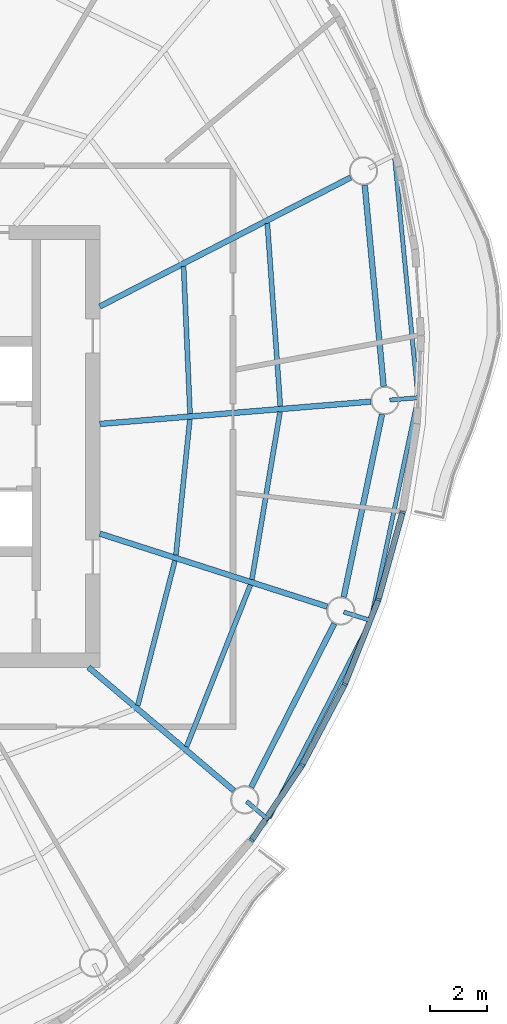
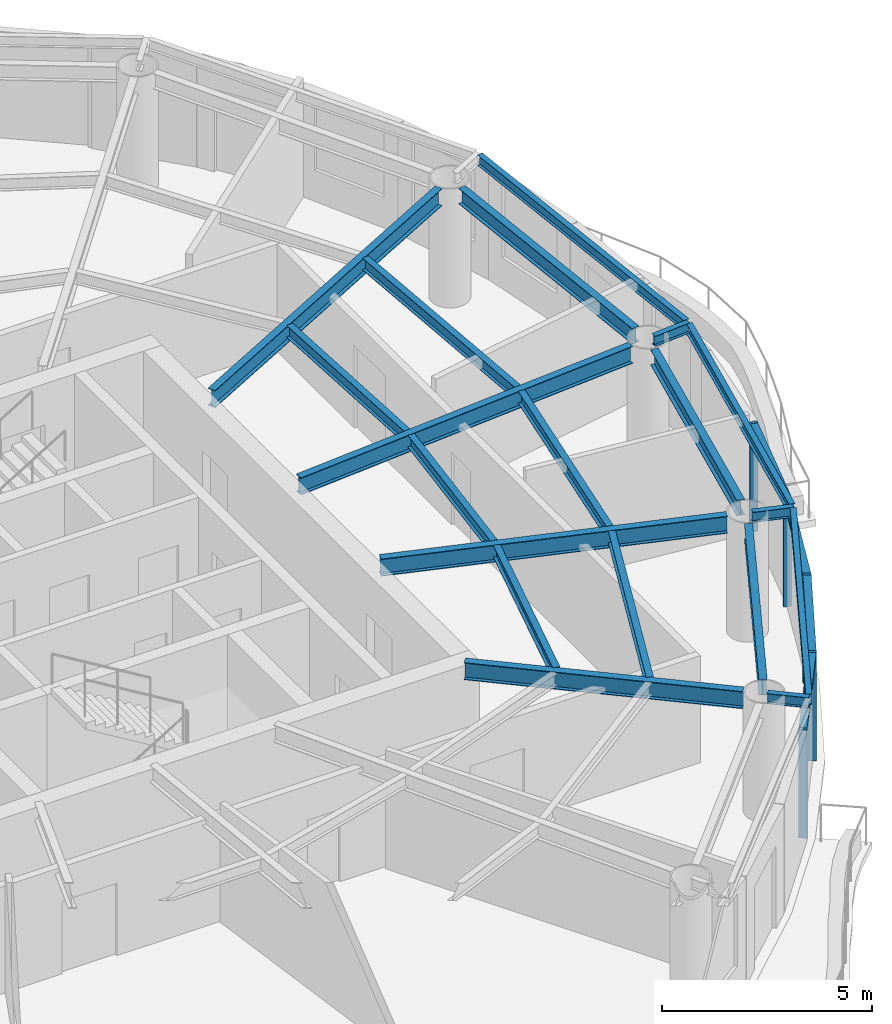
# One storey, part 4 of 13: 19 beams, 9 members, 4 elements without a shape of their own.
"""IFC4 building model written with IfcOpenShell, lengths in metres."""

from ifc_helpers import new_model, si_unit, direction, frame, origin, origin_2d, place, context, subcontext, project, spatial, rectangle, i_section, extrude, material, material_profile, profile_set, type_object, element, aggregate, save


model = new_model("IFC4")

# Units and contexts
model_context = context("Model", 3, precision=1e-05, world=origin(), true_north=direction((0.0, 1.0)))
body_context = subcontext(model_context, "Body", "Model", "MODEL_VIEW")
ifc_project = project(units=[si_unit("LENGTHUNIT", "METRE"), si_unit("AREAUNIT", "SQUARE_METRE"), si_unit("VOLUMEUNIT", "CUBIC_METRE"), si_unit("PLANEANGLEUNIT", "RADIAN"), si_unit("MASSUNIT", "GRAM", prefix="KILO")], contexts=[model_context])

# Site, building, storey
site_placement = place(None, origin())
site = spatial("IfcSite", under=ifc_project, at=site_placement, CompositionType="ELEMENT")
building_placement = place(site_placement, origin())
building = spatial("IfcBuilding", under=site, at=building_placement, Name="Vermilion Reach Broadcast Tower", CompositionType="ELEMENT")
storey_placement = place(building_placement, frame((0.0, 0.0, 293.699951171875)))
storey = spatial("IfcBuildingStorey", under=building, at=storey_placement, Name="L73", CompositionType="ELEMENT", Elevation=293.699951171875)

# Beams
ifc_material_1 = material(Name="Steel S355J2", Category="steel")
ifc_material_profile_1 = material_profile(ifc_material_1, i_section(OverallWidth=0.14990234375, OverallDepth=0.300048828125, WebThickness=0.006591796875, FlangeThickness=0.009033203125, at=origin_2d()), Name="S355J2 HN 300x150x6.5x9")
ifc_profile_set_1 = profile_set([ifc_material_profile_1], Name="Steel S355J2")
beam_type_1 = type_object("IfcBeamType", Name="EB5 HN 300x150x6.5x9", PredefinedType="BEAM", material=ifc_profile_set_1)
beam_1_placement = place(storey_placement, frame((9.579833984375, -13.109619140625, 3.300048828125), z_axis=(0.457912851877, 0.888997086658, 0.0), x_axis=(-0.888997086658, 0.457912851877, 0.0)))
element("IfcBeam", 1, at=beam_1_placement, inside=storey, type_object=beam_type_1, Name="Edge beam EB5-12", PredefinedType="BEAM", context=body_context, shape_type="SweptSolid", body=[
    extrude(i_section(OverallWidth=0.14990234375, OverallDepth=0.300048828125, WebThickness=0.006591796875, FlangeThickness=0.009033203125, at=origin_2d()), origin(), (0.0, 0.0, 1.0), 7.753173828125),
])
beam_2_placement = place(storey_placement, frame((13.1806640625, -6.07568359375, 3.300048828125), z_axis=(0.207283374219, 0.97828094266, 0.0), x_axis=(-0.97828094266, 0.207283374219, 0.0)))
element("IfcBeam", 2, at=beam_2_placement, inside=storey, type_object=beam_type_1, Name="Edge beam EB5-13", PredefinedType="BEAM", context=body_context, shape_type="SweptSolid", body=[
    extrude(i_section(OverallWidth=0.14990234375, OverallDepth=0.300048828125, WebThickness=0.006591796875, FlangeThickness=0.009033203125, at=origin_2d()), origin(), (0.0, 0.0, 1.0), 7.88671875),
])
beam_3_placement = place(storey_placement, frame((14.82421875, 1.791015625, 3.300048828125), z_axis=(-0.096963145497, 0.995287972607, 0.0), x_axis=(-0.995287972607, -0.096963145497, 0.0)))
element("IfcBeam", 3, at=beam_3_placement, inside=storey, type_object=beam_type_1, Name="Edge beam EB5-14", PredefinedType="BEAM", context=body_context, shape_type="SweptSolid", body=[
    extrude(i_section(OverallWidth=0.14990234375, OverallDepth=0.300048828125, WebThickness=0.006591796875, FlangeThickness=0.009033203125, at=origin_2d()), origin(), (0.0, 0.0, 1.0), 8.449951171875),
])
ifc_material_2 = material(Name="Steel S355J2", Category="steel")
ifc_material_profile_2 = material_profile(ifc_material_2, i_section(OverallWidth=0.199951171875, OverallDepth=0.5, WebThickness=0.010009765625, FlangeThickness=0.01611328125, at=origin_2d()), Name="S355J2 HN 500x200x10x16")
ifc_profile_set_2 = profile_set([ifc_material_profile_2], Name="Steel S355J2")
beam_type_2 = type_object("IfcBeamType", Name="G5 HN 500x200x10x16", PredefinedType="BEAM", material=ifc_profile_set_2)
beam_4_placement = place(storey_placement, frame((3.20068359375, -7.800048828125, 3.199951171875), z_axis=(0.762793125612, -0.646642596431, 0.0), x_axis=(0.646642596431, 0.762793125612, 0.0)))
element("IfcBeam", 4, at=beam_4_placement, inside=storey, type_object=beam_type_2, Name="Girder G5-12", PredefinedType="BEAM", context=body_context, shape_type="SweptSolid", body=[
    extrude(i_section(OverallWidth=0.199951171875, OverallDepth=0.5, WebThickness=0.010009765625, FlangeThickness=0.01611328125, at=origin_2d()), origin(), (0.0, 0.0, 1.0), 6.732421875),
])
beam_5_placement = place(storey_placement, frame((3.60009765625, -3.080322265625, 3.199951171875), z_axis=(0.952178453449, -0.305542456604, 0.0), x_axis=(0.305542456604, 0.952178453449, 0.0)))
element("IfcBeam", 5, at=beam_5_placement, inside=storey, type_object=beam_type_2, Name="Girder G5-13", PredefinedType="BEAM", context=body_context, shape_type="SweptSolid", body=[
    extrude(i_section(OverallWidth=0.199951171875, OverallDepth=0.5, WebThickness=0.010009765625, FlangeThickness=0.01611328125, at=origin_2d()), origin(), (0.0, 0.0, 1.0), 8.43310546875),
])
beam_6_placement = place(storey_placement, frame((3.60009765625, 0.791015625, 3.199951171875), z_axis=(0.996624410075, 0.082096195058, 0.0), x_axis=(-0.082096195058, 0.996624410075, 0.0)))
element("IfcBeam", 6, at=beam_6_placement, inside=storey, type_object=beam_type_2, Name="Girder G5-14", PredefinedType="BEAM", context=body_context, shape_type="SweptSolid", body=[
    extrude(i_section(OverallWidth=0.199951171875, OverallDepth=0.5, WebThickness=0.010009765625, FlangeThickness=0.01611328125, at=origin_2d()), origin(), (0.0, 0.0, 1.0), 9.599609375),
])
beam_7_placement = place(storey_placement, frame((3.60009765625, 4.935791015625, 3.199951171875), z_axis=(0.889332502449, 0.457261085254, 0.0), x_axis=(-0.457261085254, 0.889332502449, 0.0)))
element("IfcBeam", 7, at=beam_7_placement, inside=storey, type_object=beam_type_2, Name="Girder G5-15", PredefinedType="BEAM", context=body_context, shape_type="SweptSolid", body=[
    extrude(i_section(OverallWidth=0.199951171875, OverallDepth=0.5, WebThickness=0.010009765625, FlangeThickness=0.01611328125, at=origin_2d()), origin(), (0.0, 0.0, 1.0), 9.96337890625),
])
ifc_material_3 = material(Name="Steel S355J2", Category="steel")
ifc_material_profile_3 = material_profile(ifc_material_3, i_section(OverallWidth=0.14990234375, OverallDepth=0.300048828125, WebThickness=0.006591796875, FlangeThickness=0.009033203125, at=origin_2d()), Name="S355J2 HN 300x150x6.5x9")
ifc_profile_set_3 = profile_set([ifc_material_profile_3], Name="Steel S355J2")
beam_type_3 = type_object("IfcBeamType", Name="GS5 HN 300x150x6.5x9", PredefinedType="BEAM", material=ifc_profile_set_3)
beam_8_placement = place(storey_placement, frame((8.78173828125, -12.531494140625, 3.300048828125), z_axis=(0.762811928474, -0.646620415529, 0.0), x_axis=(0.646620415529, 0.762811928474, 0.0)))
element("IfcBeam", 8, at=beam_8_placement, inside=storey, type_object=beam_type_3, Name="Cantilever stub GS5-12", PredefinedType="BEAM", context=body_context, shape_type="SweptSolid", body=[
    extrude(i_section(OverallWidth=0.14990234375, OverallDepth=0.300048828125, WebThickness=0.006591796875, FlangeThickness=0.009033203125, at=origin_2d()), origin(), (0.0, 0.0, 1.0), 1.000244140625),
])
for number, where, z_axis, x_axis, name in (
    (9, (12.212890625, -5.843994140625, 3.300048828125), (0.952211297084, -0.305440085295, 0.0), (0.305440085295, 0.952211297084, 0.0), "Cantilever stub GS5-13"),
    (10, (13.8349609375, 1.63427734375, 3.300048828125), (0.996629436565, 0.082035152054, 0.0), (-0.082035152054, 0.996629436565, 0.0), "Cantilever stub GS5-14"),
):
    element("IfcBeam", number, at=place(storey_placement, frame(where, z_axis=z_axis, x_axis=x_axis)), inside=storey, type_object=beam_type_3, Name=name, PredefinedType="BEAM", context=body_context, shape_type="SweptSolid", body=[
        extrude(i_section(OverallWidth=0.14990234375, OverallDepth=0.300048828125, WebThickness=0.006591796875, FlangeThickness=0.009033203125, at=origin_2d()), origin(), (0.0, 0.0, 1.0), 1.0),
    ])
ifc_material_4 = material(Name="Steel S355J2", Category="steel")
ifc_material_profile_4 = material_profile(ifc_material_4, i_section(OverallWidth=0.199951171875, OverallDepth=0.449951171875, WebThickness=0.009033203125, FlangeThickness=0.013916015625, at=origin_2d()), Name="S355J2 HN 450x200x9x14")
ifc_profile_set_4 = profile_set([ifc_material_profile_4], Name="Steel S355J2")
beam_type_4 = type_object("IfcBeamType", Name="RB5 HN 450x200x9x14", PredefinedType="BEAM", material=ifc_profile_set_4)
beam_9_placement = place(storey_placement, frame((8.944091796875, -12.03125, 3.22509765625), z_axis=(0.453052302855, 0.891483937532, 0.0), x_axis=(-0.891483937532, 0.453052302855, 0.0)))
element("IfcBeam", 11, at=beam_9_placement, inside=storey, type_object=beam_type_4, Name="Ring beam RB5-12", PredefinedType="BEAM", context=body_context, shape_type="SweptSolid", body=[
    extrude(i_section(OverallWidth=0.199951171875, OverallDepth=0.449951171875, WebThickness=0.009033203125, FlangeThickness=0.013916015625, at=origin_2d()), origin(), (0.0, 0.0, 1.0), 6.47900390625),
])
beam_10_placement = place(storey_placement, frame((12.208740234375, -5.3203125, 3.22509765625), z_axis=(0.205444869285, 0.978668690459, 0.0), x_axis=(-0.978668690459, 0.205444869285, 0.0)))
element("IfcBeam", 12, at=beam_10_placement, inside=storey, type_object=beam_type_4, Name="Ring beam RB5-13", PredefinedType="BEAM", context=body_context, shape_type="SweptSolid", body=[
    extrude(i_section(OverallWidth=0.199951171875, OverallDepth=0.449951171875, WebThickness=0.009033203125, FlangeThickness=0.013916015625, at=origin_2d()), origin(), (0.0, 0.0, 1.0), 6.591796875),
])
beam_11_placement = place(storey_placement, frame((13.618896484375, 2.1181640625, 3.22509765625), z_axis=(-0.093441399272, 0.995624781181, 0.0), x_axis=(-0.995624781181, -0.093441399272, 0.0)))
element("IfcBeam", 13, at=beam_11_placement, inside=storey, type_object=beam_type_4, Name="Ring beam RB5-14", PredefinedType="BEAM", context=body_context, shape_type="SweptSolid", body=[
    extrude(i_section(OverallWidth=0.199951171875, OverallDepth=0.449951171875, WebThickness=0.009033203125, FlangeThickness=0.013916015625, at=origin_2d()), origin(), (0.0, 0.0, 1.0), 7.135498046875),
])
ifc_material_5 = material(Name="Steel S355J2", Category="steel")
ifc_material_profile_5 = material_profile(ifc_material_5, i_section(OverallWidth=0.175048828125, OverallDepth=0.35009765625, WebThickness=0.007080078125, FlangeThickness=0.010986328125, at=origin_2d()), Name="S355J2 HN 350x175x7x11")
ifc_profile_set_5 = profile_set([ifc_material_profile_5], Name="Steel S355J2")
beam_type_5 = type_object("IfcBeamType", Name="SB5 HN 350x175x7x11", PredefinedType="BEAM", material=ifc_profile_set_5)
beam_12_placement = place(storey_placement, frame((4.940185546875, -9.1435546875, 3.275146484375), z_axis=(0.248729575729, 0.968572969971, 0.0), x_axis=(-0.968572969971, 0.248729575729, 0.0)))
element("IfcBeam", 14, at=beam_12_placement, inside=storey, type_object=beam_type_5, Name="Secondary beam SB5-12-1", PredefinedType="BEAM", context=body_context, shape_type="SweptSolid", body=[
    extrude(i_section(OverallWidth=0.175048828125, OverallDepth=0.35009765625, WebThickness=0.007080078125, FlangeThickness=0.010986328125, at=origin_2d()), origin(), (0.0, 0.0, 1.0), 5.27294921875),
])
beam_13_placement = place(storey_placement, frame((6.6630859375, -10.604248046875, 3.275146484375), z_axis=(0.366931189603, 0.930248086317, 0.0), x_axis=(-0.930248086317, 0.366931189603, 0.0)))
element("IfcBeam", 15, at=beam_13_placement, inside=storey, type_object=beam_type_5, Name="Secondary beam SB5-12-2", PredefinedType="BEAM", context=body_context, shape_type="SweptSolid", body=[
    extrude(i_section(OverallWidth=0.175048828125, OverallDepth=0.35009765625, WebThickness=0.007080078125, FlangeThickness=0.010986328125, at=origin_2d()), origin(), (0.0, 0.0, 1.0), 6.141357421875),
])
beam_14_placement = place(storey_placement, frame((6.287109375, -3.837646484375, 3.275146484375), z_axis=(0.102113775264, 0.994772726255, 0.0), x_axis=(-0.994772726255, 0.102113775264, 0.0)))
element("IfcBeam", 16, at=beam_14_placement, inside=storey, type_object=beam_type_5, Name="Secondary beam SB5-13-1", PredefinedType="BEAM", context=body_context, shape_type="SweptSolid", body=[
    extrude(i_section(OverallWidth=0.175048828125, OverallDepth=0.35009765625, WebThickness=0.007080078125, FlangeThickness=0.010986328125, at=origin_2d()), origin(), (0.0, 0.0, 1.0), 4.815185546875),
])
beam_15_placement = place(storey_placement, frame((8.969970703125, -4.698486328125, 3.275146484375), z_axis=(0.16532337011, 0.986239414795, 0.0), x_axis=(-0.986239414795, 0.16532337011, 0.0)))
element("IfcBeam", 17, at=beam_15_placement, inside=storey, type_object=beam_type_5, Name="Secondary beam SB5-13-2", PredefinedType="BEAM", context=body_context, shape_type="SweptSolid", body=[
    extrude(i_section(OverallWidth=0.175048828125, OverallDepth=0.35009765625, WebThickness=0.007080078125, FlangeThickness=0.010986328125, at=origin_2d()), origin(), (0.0, 0.0, 1.0), 5.99560546875),
])
beam_16_placement = place(storey_placement, frame((6.78466796875, 1.153564453125, 3.275146484375), z_axis=(-0.043557530017, 0.999050920413, 0.0), x_axis=(-0.999050920413, -0.043557530017, 0.0)))
element("IfcBeam", 18, at=beam_16_placement, inside=storey, type_object=beam_type_5, Name="Secondary beam SB5-14-1", PredefinedType="BEAM", context=body_context, shape_type="SweptSolid", body=[
    extrude(i_section(OverallWidth=0.175048828125, OverallDepth=0.35009765625, WebThickness=0.007080078125, FlangeThickness=0.010986328125, at=origin_2d()), origin(), (0.0, 0.0, 1.0), 5.19580078125),
])
beam_17_placement = place(storey_placement, frame((9.97119140625, 1.416259765625, 3.275146484375), z_axis=(-0.070586780458, 0.997505642302, 0.0), x_axis=(-0.997505642302, -0.070586780458, 0.0)))
element("IfcBeam", 19, at=beam_17_placement, inside=storey, type_object=beam_type_5, Name="Secondary beam SB5-14-2", PredefinedType="BEAM", context=body_context, shape_type="SweptSolid", body=[
    extrude(i_section(OverallWidth=0.175048828125, OverallDepth=0.35009765625, WebThickness=0.007080078125, FlangeThickness=0.010986328125, at=origin_2d()), origin(), (0.0, 0.0, 1.0), 6.46435546875),
])

# Curtain wall, member
ifc_material_6 = material(Name="Low-e laminated clear glass in aluminium frame", Category="aluminium")
curtain_wall_type = type_object("IfcCurtainWallType", Name="Slot curtain wall", PredefinedType="NOTDEFINED", material=ifc_material_6)
placement = place(storey_placement, origin())
curtain_wall_1 = element("IfcCurtainWall", 20, at=placement, inside=storey, type_object=curtain_wall_type, Name="Slot curtain wall L73 34", PredefinedType="NOTDEFINED")
ifc_material_7 = material(Name="Anodised aluminium", Category="aluminium")
ifc_material_profile_6 = material_profile(ifc_material_7, rectangle(XDim=0.199951171875, YDim=0.080078125, at=origin_2d()), Name="Slot mullion 80 x 200")
ifc_profile_set_6 = profile_set([ifc_material_profile_6], Name="Anodised aluminium")
member_type_1 = type_object("IfcMemberType", Name="Slot mullion 80 x 200", PredefinedType="MULLION", material=ifc_profile_set_6)
member_1_placement = place(storey_placement, frame((8.955810546875, -13.9033203125, 0.0), z_axis=(0.0, 0.0, 1.0), x_axis=(-0.797362979474, 0.603500023996, 0.0)))
member_1 = element("IfcMember", 21, at=member_1_placement, type_object=member_type_1, Name="Slot mullion L73 34", PredefinedType="MULLION", context=body_context, shape_type="SweptSolid", body=[
    extrude(rectangle(XDim=0.199951171875, YDim=0.080078125, at=origin_2d()), origin(), (0.0, 0.0, 1.0), 3.150146484375),
])

curtain_wall_2 = element("IfcCurtainWall", 22, at=placement, inside=storey, type_object=curtain_wall_type, Name="Slot curtain wall L73 35", PredefinedType="NOTDEFINED")
member_2_placement = place(storey_placement, frame((10.744873046875, -11.24853515625, 0.0), z_axis=(0.0, 0.0, 1.0), x_axis=(-0.858191033058, 0.513330449885, 0.0)))
member_2 = element("IfcMember", 23, at=member_2_placement, type_object=member_type_1, Name="Slot mullion L73 35", PredefinedType="MULLION", context=body_context, shape_type="SweptSolid", body=[
    extrude(rectangle(XDim=0.199951171875, YDim=0.080078125, at=origin_2d()), origin(), (0.0, 0.0, 1.0), 3.150146484375),
])

curtain_wall_3 = element("IfcCurtainWall", 24, at=placement, inside=storey, type_object=curtain_wall_type, Name="Slot curtain wall L73 36", PredefinedType="NOTDEFINED")
member_3_placement = place(storey_placement, frame((12.246337890625, -8.400146484375, 0.0), z_axis=(0.0, 0.0, 1.0), x_axis=(-0.908362263157, 0.418184168606, 0.0)))
member_3 = element("IfcMember", 25, at=member_3_placement, type_object=member_type_1, Name="Slot mullion L73 36", PredefinedType="MULLION", context=body_context, shape_type="SweptSolid", body=[
    extrude(rectangle(XDim=0.199951171875, YDim=0.080078125, at=origin_2d()), origin(), (0.0, 0.0, 1.0), 3.150146484375),
])

# Curtain wall, members
curtain_wall_4 = element("IfcCurtainWall", 26, at=placement, inside=storey, type_object=curtain_wall_type, Name="Slot curtain wall L73 37", PredefinedType="NOTDEFINED")
member_4_placement = place(storey_placement, frame((13.43408203125, -5.4072265625, 0.0), z_axis=(0.0, 0.0, 1.0), x_axis=(-0.948023765699, 0.318199528079, 0.0)))
member_4 = element("IfcMember", 27, at=member_4_placement, type_object=member_type_1, Name="Slot mullion L73 37", PredefinedType="MULLION", context=body_context, shape_type="SweptSolid", body=[
    extrude(rectangle(XDim=0.199951171875, YDim=0.080078125, at=origin_2d()), origin(), (0.0, 0.0, 1.0), 3.150146484375),
])
member_5_placement = place(storey_placement, frame((14.28759765625, -2.32177734375, 0.0), z_axis=(0.0, 0.0, 1.0), x_axis=(-0.976974808979, 0.213354687367, 0.0)))
member_5 = element("IfcMember", 28, at=member_5_placement, type_object=member_type_1, Name="Slot mullion L73 38", PredefinedType="MULLION", context=body_context, shape_type="SweptSolid", body=[
    extrude(rectangle(XDim=0.199951171875, YDim=0.080078125, at=origin_2d()), origin(), (0.0, 0.0, 1.0), 3.150146484375),
])

# Member
ifc_material_8 = material(Name="Anodised aluminium", Category="aluminium")
ifc_material_profile_7 = material_profile(ifc_material_8, rectangle(XDim=0.199951171875, YDim=0.10009765625, at=origin_2d()), Name="Slot transom 200 x 100")
ifc_profile_set_7 = profile_set([ifc_material_profile_7], Name="Anodised aluminium")
member_type_2 = type_object("IfcMemberType", Name="Slot transom 200 x 100", PredefinedType="USERDEFINED", material=ifc_profile_set_7)
member_6_placement = place(storey_placement, frame((8.978271484375, -13.8701171875, 3.10009765625), z_axis=(0.558862816595, 0.829260123379, 0.0), x_axis=(-0.829260123379, 0.558862816595, 0.0)))
member_6 = element("IfcMember", 29, at=member_6_placement, type_object=member_type_2, Name="Slot transom L73 34.1", ObjectType="TRANSOM", PredefinedType="USERDEFINED", context=body_context, shape_type="SweptSolid", body=[
    extrude(rectangle(XDim=0.199951171875, YDim=0.10009765625, at=origin_2d()), origin(), (0.0, 0.0, 1.0), 3.121337890625),
])

aggregate(curtain_wall_1, [member_1, member_6])

member_7_placement = place(storey_placement, frame((10.763671875, -11.213134765625, 3.10009765625), z_axis=(0.466300751158, 0.884626254115, 0.0), x_axis=(-0.884626254115, 0.466300751158, 0.0)))
member_7 = element("IfcMember", 30, at=member_7_placement, type_object=member_type_2, Name="Slot transom L73 35.1", ObjectType="TRANSOM", PredefinedType="USERDEFINED", context=body_context, shape_type="SweptSolid", body=[
    extrude(rectangle(XDim=0.199951171875, YDim=0.10009765625, at=origin_2d()), origin(), (0.0, 0.0, 1.0), 3.139892578125),
])

aggregate(curtain_wall_2, [member_2, member_7])

member_8_placement = place(storey_placement, frame((12.26123046875, -8.363037109375, 3.10009765625), z_axis=(0.368868978658, 0.929481401957, 0.0), x_axis=(-0.929481401957, 0.368868978658, 0.0)))
member_8 = element("IfcMember", 31, at=member_8_placement, type_object=member_type_2, Name="Slot transom L73 36.1", ObjectType="TRANSOM", PredefinedType="USERDEFINED", context=body_context, shape_type="SweptSolid", body=[
    extrude(rectangle(XDim=0.199951171875, YDim=0.10009765625, at=origin_2d()), origin(), (0.0, 0.0, 1.0), 3.139892578125),
])

aggregate(curtain_wall_3, [member_3, member_8])

member_9_placement = place(storey_placement, frame((13.44482421875, -5.368896484375, 3.10009765625), z_axis=(0.266550499924, 0.963820953803, 0.0), x_axis=(-0.963820953803, 0.266550499924, 0.0)))
member_9 = element("IfcMember", 32, at=member_9_placement, type_object=member_type_2, Name="Slot transom L73 37.1", ObjectType="TRANSOM", PredefinedType="USERDEFINED", context=body_context, shape_type="SweptSolid", body=[
    extrude(rectangle(XDim=0.199951171875, YDim=0.10009765625, at=origin_2d()), origin(), (0.0, 0.0, 1.0), 3.12158203125),
])

aggregate(curtain_wall_4, [member_4, member_5, member_9])

save(model, "model.ifc")
